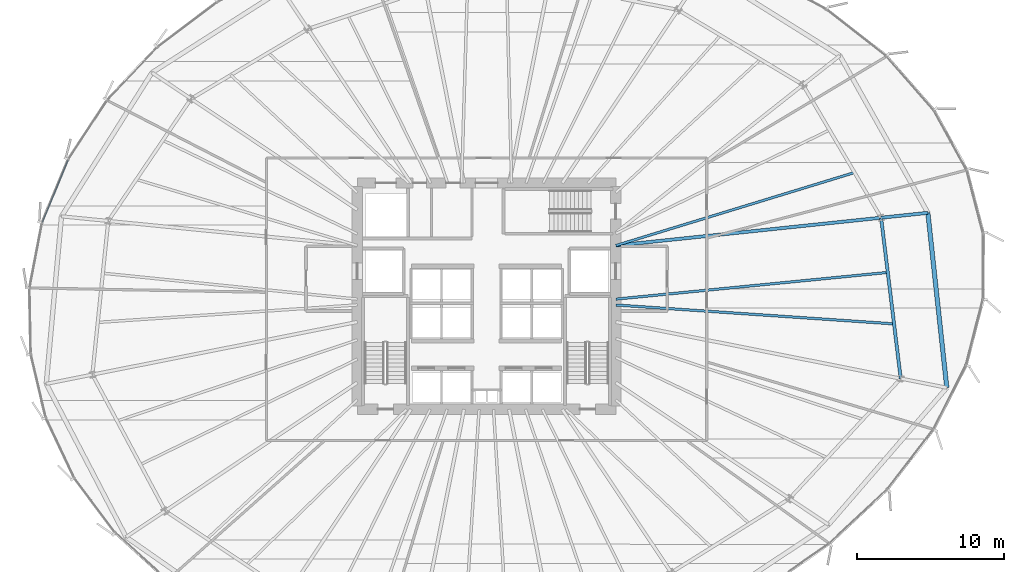
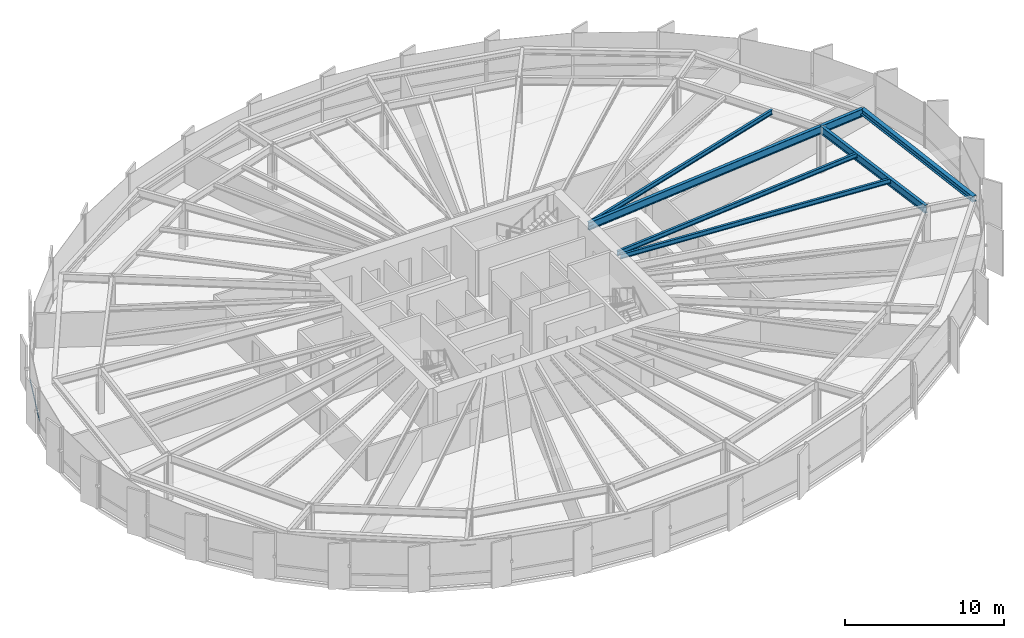
# One storey, part 17 of 37: 7 beams, 1 member, 1 element without a shape of its own.
"""IFC4 building model written with IfcOpenShell, lengths in metres."""

from ifc_helpers import new_model, si_unit, direction, frame, origin, origin_2d, place, context, subcontext, project, spatial, hollow_rectangle, i_section, extrude, source, transform, mapped, material, layer, layer_set, material_profile, profile_set, type_object, element, aggregate, save


model = new_model("IFC4")

# Units and contexts
model_context = context("Model", 3, precision=1e-05, world=origin(), true_north=direction((0.0, 1.0)))
body_context = subcontext(model_context, "Body", "Model", "MODEL_VIEW")
ifc_project = project(units=[si_unit("LENGTHUNIT", "METRE"), si_unit("AREAUNIT", "SQUARE_METRE"), si_unit("VOLUMEUNIT", "CUBIC_METRE"), si_unit("PLANEANGLEUNIT", "RADIAN"), si_unit("MASSUNIT", "GRAM", prefix="KILO"), si_unit("THERMODYNAMICTEMPERATUREUNIT", "KELVIN")], contexts=[model_context])

# Site, building, storey
site_placement = place(None, origin())
site = spatial("IfcSite", under=ifc_project, at=site_placement, CompositionType="ELEMENT")
building_placement = place(site_placement, origin())
building = spatial("IfcBuilding", under=site, at=building_placement, Name="Kethvar Cultural Tower", CompositionType="ELEMENT")
storey_placement = place(building_placement, frame((0.0, 0.0, 60.0)))
storey = spatial("IfcBuildingStorey", under=building, at=storey_placement, Name="L14", CompositionType="ELEMENT", Elevation=60.0)

# Beams
ifc_material_1 = material(Name="Steel S355J2", Category="steel")
ifc_material_profile_1 = material_profile(ifc_material_1, i_section(OverallWidth=0.219970703125, OverallDepth=0.60009765625, WebThickness=0.011962890625, FlangeThickness=0.01904296875, FilletRadius=0.02392578125, at=origin_2d()), Name="Steel S355J2 — IPE600")
ifc_profile_set_1 = profile_set([ifc_material_profile_1], Name="Steel S355J2 — IPE600")
beam_type_1 = type_object("IfcBeamType", Name="BM-IPE600", PredefinedType="BEAM", material=ifc_profile_set_1)
shared_shape_1 = source(origin(), body_context, "Body", "SweptSolid", [
    extrude(i_section(OverallWidth=0.219970703125, OverallDepth=0.60009765625, WebThickness=0.011962890625, FlangeThickness=0.01904296875, FilletRadius=0.02392578125, at=origin_2d()), origin(), (0.0, 0.0, 1.0), 18.155517578125),
])
beam_1_placement = place(storey_placement, frame((55.60009765625, 31.25, 3.248046875), z_axis=(0.994554710129, 0.104215778847, 0.0), x_axis=(-0.104215778847, 0.994554710129, 0.0)))
element("IfcBeam", 1, at=beam_1_placement, inside=storey, type_object=beam_type_1, Name="L14 Primary Radial Beam RB-01", PredefinedType="BEAM", context=body_context, shape_type="MappedRepresentation", body=[
    mapped(shared_shape_1, transform((0.0, 0.0, 0.0), scale=1.0)),
])
shared_shape_2 = source(origin(), body_context, "Body", "SweptSolid", [
    extrude(i_section(OverallWidth=0.219970703125, OverallDepth=0.60009765625, WebThickness=0.011962890625, FlangeThickness=0.01904296875, FilletRadius=0.02392578125, at=origin_2d()), origin(), (0.0, 0.0, 1.0), 3.199951171875),
])
beam_2_placement = place(storey_placement, frame((73.65673828125, 33.14208984375, 3.248046875), z_axis=(0.994554671638, 0.104216146169, 0.0), x_axis=(-0.104216146169, 0.994554671638, 0.0)))
element("IfcBeam", 2, at=beam_2_placement, inside=storey, type_object=beam_type_1, Name="L14 Perimeter Cantilever Beam RC-01", PredefinedType="BEAM", context=body_context, shape_type="MappedRepresentation", body=[
    mapped(shared_shape_2, transform((0.0, 0.0, 0.0), scale=1.0)),
])
ifc_material_profile_2 = material_profile(ifc_material_1, i_section(OverallWidth=0.169921875, OverallDepth=0.360107421875, WebThickness=0.008056640625, FlangeThickness=0.0126953125, FilletRadius=0.01806640625, at=origin_2d()), Name="Steel S355J2 — IPE360")
ifc_profile_set_2 = profile_set([ifc_material_profile_2], Name="Steel S355J2 — IPE360")
beam_type_2 = type_object("IfcBeamType", Name="BM-J360", PredefinedType="JOIST", material=ifc_profile_set_2)
shared_shape_3 = source(origin(), body_context, "Body", "SweptSolid", [
    extrude(i_section(OverallWidth=0.169921875, OverallDepth=0.360107421875, WebThickness=0.008056640625, FlangeThickness=0.0126953125, FilletRadius=0.01806640625, at=origin_2d()), origin(), (0.0, 0.0, 1.0), 16.990478515625),
])
beam_3_placement = place(storey_placement, frame((55.60009765625, 31.25, 3.367919921875), z_axis=(0.956287408668, 0.292428439149, 0.0), x_axis=(-0.292428439149, 0.956287408668, 0.0)))
element("IfcBeam", 3, at=beam_3_placement, inside=storey, type_object=beam_type_2, Name="L14 Composite Floor Joist J-01A", PredefinedType="JOIST", context=body_context, shape_type="MappedRepresentation", body=[
    mapped(shared_shape_3, transform((0.0, 0.0, 0.0), scale=1.0)),
])
shared_shape_4 = source(origin(), body_context, "Body", "SweptSolid", [
    extrude(i_section(OverallWidth=0.219970703125, OverallDepth=0.60009765625, WebThickness=0.011962890625, FlangeThickness=0.01904296875, FilletRadius=0.02392578125, at=origin_2d()), origin(), (0.0, 0.0, 1.0), 11.03076171875),
])
beam_4_placement = place(storey_placement, frame((74.9912109375, 22.1923828125, 3.248046875), z_axis=(-0.120977779442, 0.992655215511, 0.0), x_axis=(-0.992655215511, -0.120977779442, 0.0)))
element("IfcBeam", 4, at=beam_4_placement, inside=storey, type_object=beam_type_1, Name="L14 Column Ring Tie Beam CR-16", PredefinedType="BEAM", context=body_context, shape_type="MappedRepresentation", body=[
    mapped(shared_shape_4, transform((0.0, 0.0, 0.0), scale=1.0)),
])
shared_shape_5 = source(origin(), body_context, "Body", "SweptSolid", [
    extrude(i_section(OverallWidth=0.169921875, OverallDepth=0.360107421875, WebThickness=0.008056640625, FlangeThickness=0.0126953125, FilletRadius=0.01806640625, at=origin_2d()), origin(), (0.0, 0.0, 1.0), 18.981201171875),
])
beam_5_placement = place(storey_placement, frame((55.60009765625, 27.2021484375, 3.367919921875), z_axis=(0.997699141247, -0.067796928805, 0.0), x_axis=(0.067796928805, 0.997699141247, 0.0)))
element("IfcBeam", 5, at=beam_5_placement, inside=storey, type_object=beam_type_2, Name="L14 Composite Floor Joist J-16A", PredefinedType="JOIST", context=body_context, shape_type="MappedRepresentation", body=[
    mapped(shared_shape_5, transform((0.0, 0.0, 0.0), scale=1.0)),
])
shared_shape_6 = source(origin(), body_context, "Body", "SweptSolid", [
    extrude(i_section(OverallWidth=0.169921875, OverallDepth=0.360107421875, WebThickness=0.008056640625, FlangeThickness=0.0126953125, FilletRadius=0.01806640625, at=origin_2d()), origin(), (0.0, 0.0, 1.0), 18.599609375),
])
beam_6_placement = place(storey_placement, frame((55.60009765625, 27.60009765625, 3.367919921875), z_axis=(0.995205855092, 0.097802382335, 0.0), x_axis=(-0.097802382335, 0.995205855092, 0.0)))
element("IfcBeam", 6, at=beam_6_placement, inside=storey, type_object=beam_type_2, Name="L14 Composite Floor Joist J-16B", PredefinedType="JOIST", context=body_context, shape_type="MappedRepresentation", body=[
    mapped(shared_shape_6, transform((0.0, 0.0, 0.0), scale=1.0)),
])
ifc_material_profile_3 = material_profile(ifc_material_1, i_section(OverallWidth=0.300048828125, OverallDepth=0.449951171875, WebThickness=0.013916015625, FlangeThickness=0.02587890625, FilletRadius=0.027099609375, at=origin_2d()), Name="Steel S355J2 — HEB450")
ifc_profile_set_3 = profile_set([ifc_material_profile_3], Name="Steel S355J2 — HEB450")
beam_type_3 = type_object("IfcBeamType", Name="BM-SP450", PredefinedType="SPANDREL", material=ifc_profile_set_3)
shared_shape_7 = source(origin(), body_context, "Body", "SweptSolid", [
    extrude(i_section(OverallWidth=0.300048828125, OverallDepth=0.449951171875, WebThickness=0.013916015625, FlangeThickness=0.02587890625, FilletRadius=0.027099609375, at=origin_2d()), origin(), (0.0, 0.0, 1.0), 11.977294921875),
])
beam_7_placement = place(storey_placement, frame((78.129638671875, 21.568115234375, 3.322998046875), z_axis=(-0.107728520761, 0.994180348737, 0.0), x_axis=(-0.994180348737, -0.107728520761, 0.0)))
element("IfcBeam", 7, at=beam_7_placement, inside=storey, type_object=beam_type_3, Name="L14 Perimeter Spandrel Beam SP-16", PredefinedType="SPANDREL", context=body_context, shape_type="MappedRepresentation", body=[
    mapped(shared_shape_7, transform((0.0, 0.0, 0.0), scale=1.0)),
])

# Curtain wall, member
ifc_material_2 = material(Name="Aluminium 6063-T6", Category="aluminium")
ifc_layer = layer(ifc_material_2, 0.179931640625, Name="Aluminium 6063-T6", Category="aluminium")
ifc_layer_set = layer_set([ifc_layer], Name="Aluminium 6063-T6 (180 mm)")
curtain_wall_type = type_object("IfcCurtainWallType", Name="CW-SYS-02-Z1", PredefinedType="NOTDEFINED", material=ifc_layer_set)
curtain_wall_placement = place(storey_placement, origin())
curtain_wall = element("IfcCurtainWall", 8, at=curtain_wall_placement, inside=storey, type_object=curtain_wall_type, Name="L14 Curtain Wall Run 03", PredefinedType="NOTDEFINED")
ifc_material_profile_4 = material_profile(ifc_material_2, hollow_rectangle(XDim=0.054931640625, YDim=0.1201171875, WallThickness=0.00390625, at=origin_2d()), Name="Aluminium 6063-T6 — RHS120x55x4")
ifc_profile_set_4 = profile_set([ifc_material_profile_4], Name="Aluminium 6063-T6 — RHS120x55x4")
member_type = type_object("IfcMemberType", Name="CW-SYS-02-Z1-TRN", PredefinedType="USERDEFINED", material=ifc_profile_set_4)
shared_shape_8 = source(origin(), body_context, "Body", "SweptSolid", [
    extrude(hollow_rectangle(XDim=0.054931640625, YDim=0.1201171875, WallThickness=0.00390625, at=origin_2d()), origin(), (0.0, 0.0, 1.0), 4.582763671875),
])
member_placement = place(storey_placement, frame((18.313720703125, 37.067626953125, 0.949951171875), z_axis=(-0.38165528145, -0.924304736622, 0.0), x_axis=(0.924304736622, -0.38165528145, 0.0)))
member = element("IfcMember", 9, at=member_placement, type_object=member_type, Name="CW-L14-R03 Transom 4", ObjectType="TRANSOM", PredefinedType="USERDEFINED", context=body_context, shape_type="MappedRepresentation", body=[
    mapped(shared_shape_8, transform((0.0, 0.0, 0.0), scale=1.0)),
])
aggregate(curtain_wall, [member])

save(model, "model.ifc")
